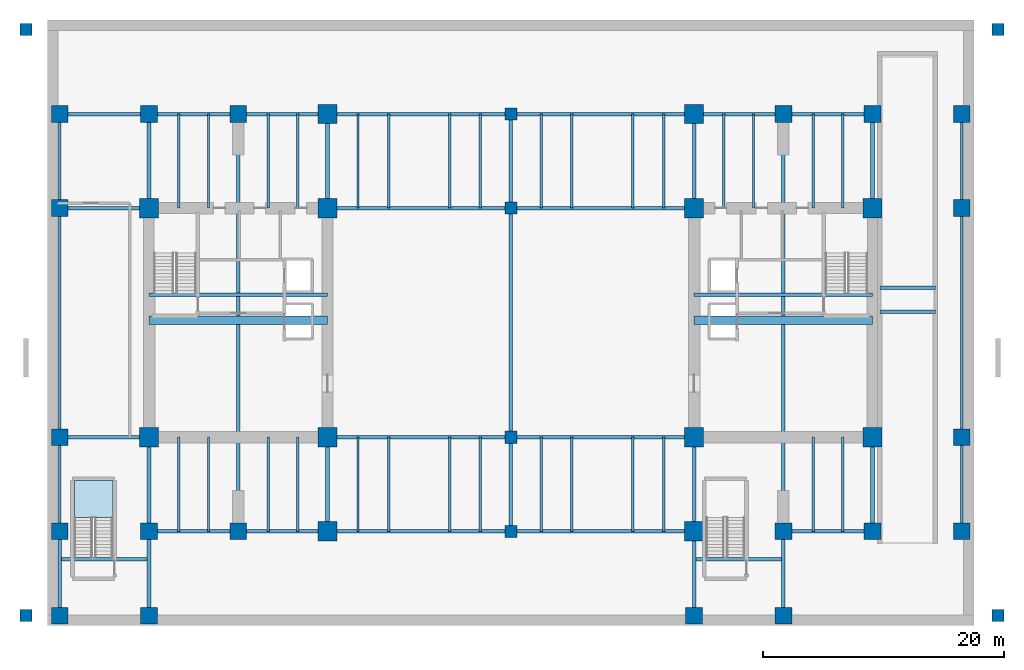
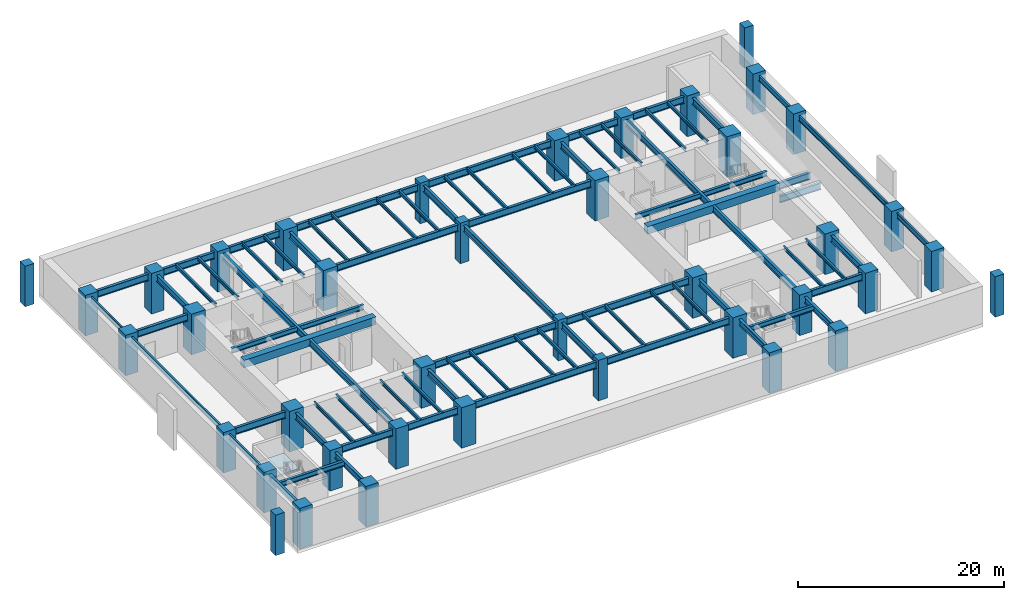
# One storey, part 1 of 6: 79 beams, 40 columns, 1 slab, 1 element without a shape of its own.
"""IFC4 building model written with IfcOpenShell, lengths in metres."""

from ifc_helpers import new_model, si_unit, direction, frame, origin, origin_2d, place, context, subcontext, project, spatial, polyline, rectangle, i_section, outline, extrude, source, transform, mapped, material, layer, layer_set, material_profile, profile_set, type_object, type_shapes, element, aggregate, save


model = new_model("IFC4")

# Units and contexts
model_context = context("Model", 3, precision=1e-05, world=origin(), true_north=direction((0.0, 1.0)))
body_context = subcontext(model_context, "Body", "Model", "MODEL_VIEW")
ifc_project = project(units=[si_unit("LENGTHUNIT", "METRE"), si_unit("AREAUNIT", "SQUARE_METRE"), si_unit("VOLUMEUNIT", "CUBIC_METRE"), si_unit("PLANEANGLEUNIT", "RADIAN"), si_unit("MASSUNIT", "GRAM", prefix="KILO")], contexts=[model_context])

# Site, building, storey
site_placement = place(None, origin())
site = spatial("IfcSite", under=ifc_project, at=site_placement, CompositionType="ELEMENT")
building_placement = place(site_placement, origin())
building = spatial("IfcBuilding", under=site, at=building_placement, Name="Haelvirn Gate Laboratories", CompositionType="ELEMENT")
storey_placement = place(building_placement, frame((0.0, 0.0, -9.60009765625)))
storey = spatial("IfcBuildingStorey", under=building, at=storey_placement, Name="B2", CompositionType="ELEMENT", Elevation=-9.60009765625)

# Columns
ifc_material_1 = material(Name="Concrete C70/85", Category="concrete")
ifc_material_profile_1 = material_profile(ifc_material_1, rectangle(XDim=1.39990234375, YDim=1.39990234375, at=origin_2d()), Name="SRC-1400x1400")
ifc_profile_set_1 = profile_set([ifc_material_profile_1], Name="Concrete C70/85")
column_type_1 = type_object("IfcColumnType", Name="COL-SRC-1400", PredefinedType="COLUMN", material=ifc_profile_set_1)
shared_shape_1 = source(origin(), body_context, "Body", "SweptSolid", [
    extrude(rectangle(XDim=1.39990234375, YDim=1.39990234375, at=origin_2d()), origin(), (0.0, 0.0, 1.0), 4.800048828125),
])
type_shapes(column_type_1, [shared_shape_1])
for number, where, z_axis, x_axis, name in (
    (1, (14.800048828125, 7.0, 0.0), (0.0, 0.0, 1.0), (1.0, 0.0, 0.0), "B2 Column 3B"),
    (2, (14.800048828125, 41.60009765625, 0.0), (0.0, 0.0, 1.0), (1.0, 0.0, 0.0), "B2 Column 3G"),
    (3, (60.0, 7.0, 0.0), (0.0, 0.0, 1.0), (1.0, 0.0, 0.0), "B2 Column 9B"),
    (4, (60.0, 41.60009765625, 0.0), (0.0, 0.0, 1.0), (1.0, 0.0, 0.0), "B2 Column 9G"),
    (5, (7.39990234375, 7.0, 0.0), (0.0, 0.0, 1.0), (1.0, 0.0, 0.0), "B2 Column 2B"),
    (6, (7.39990234375, 41.60009765625, 0.0), (0.0, 0.0, 1.0), (1.0, 0.0, 0.0), "B2 Column 2G"),
    (7, (67.39990234375, 7.0, 0.0), (0.0, 0.0, 1.0), (1.0, 0.0, 0.0), "B2 Column 10B"),
    (8, (67.39990234375, 41.60009765625, 0.0), (0.0, 0.0, 1.0), (1.0, 0.0, 0.0), "B2 Column 10G"),
    (9, (0.0, 7.0, 0.0), (0.0, 0.0, 1.0), (1.0, 0.0, 0.0), "B2 Column 1B"),
    (10, (0.0, 14.800048828125, 0.0), (0.0, 0.0, 1.0), (1.0, 0.0, 0.0), "B2 Column 1C"),
    (11, (0.0, 33.800048828125, 0.0), (0.0, 0.0, 1.0), (1.0, 0.0, 0.0), "B2 Column 1F"),
    (12, (0.0, 41.60009765625, 0.0), (0.0, 0.0, 1.0), (1.0, 0.0, 0.0), "B2 Column 1G"),
    (13, (74.800048828125, 7.0, 0.0), (0.0, 0.0, 1.0), (1.0, 0.0, 0.0), "B2 Column 11B"),
    (14, (74.800048828125, 14.800048828125, 0.0), (0.0, 0.0, 1.0), (1.0, 0.0, 0.0), "B2 Column 11C"),
    (15, (74.800048828125, 33.800048828125, 0.0), (0.0, 0.0, 1.0), (1.0, 0.0, 0.0), "B2 Column 11F"),
    (16, (74.800048828125, 41.60009765625, 0.0), (0.0, 0.0, 1.0), (1.0, 0.0, 0.0), "B2 Column 11G"),
    (17, (0.0, 0.0, 0.0), (0.0, 0.0, 1.0), (1.0, 0.0, 0.0), "B2 Column 1A"),
    (18, (7.39990234375, 0.0, 0.0), (0.0, 0.0, 1.0), (1.0, 0.0, 0.0), "B2 Column 2A"),
    (19, (52.60009765625, 0.0, 0.0), (0.0, 0.0, 1.0), (1.0, 0.0, 0.0), "B2 Column 8A"),
    (20, (60.0, 0.0, 0.0), (0.0, 0.0, 1.0), (1.0, 0.0, 0.0), "B2 Column 9A"),
):
    element("IfcColumn", number, at=place(storey_placement, frame(where, z_axis=z_axis, x_axis=x_axis)), inside=storey, type_object=column_type_1, Name=name, PredefinedType="COLUMN", context=body_context, shape_type="MappedRepresentation", body=[
        mapped(shared_shape_1, transform((0.0, 0.0, 0.0), scale=1.0)),
    ])
ifc_material_profile_2 = material_profile(ifc_material_1, rectangle(XDim=1.60009765625, YDim=1.60009765625, at=origin_2d()), Name="SRC-1600x1600")
ifc_profile_set_2 = profile_set([ifc_material_profile_2], Name="Concrete C70/85")
column_type_2 = type_object("IfcColumnType", Name="COL-SRC-1600", PredefinedType="COLUMN", material=ifc_profile_set_2)
shared_shape_2 = source(origin(), body_context, "Body", "SweptSolid", [
    extrude(rectangle(XDim=1.60009765625, YDim=1.60009765625, at=origin_2d()), origin(), (0.0, 0.0, 1.0), 4.800048828125),
])
type_shapes(column_type_2, [shared_shape_2])
for number, where, z_axis, x_axis, name in (
    (21, (22.199951171875, 7.0, 0.0), (0.0, 0.0, 1.0), (1.0, 0.0, 0.0), "B2 Column 4B"),
    (22, (7.39990234375, 14.800048828125, 0.0), (0.0, 0.0, 1.0), (1.0, 0.0, 0.0), "B2 Column 2C"),
    (23, (22.199951171875, 14.800048828125, 0.0), (0.0, 0.0, 1.0), (1.0, 0.0, 0.0), "B2 Column 4C"),
    (24, (7.39990234375, 33.800048828125, 0.0), (0.0, 0.0, 1.0), (1.0, 0.0, 0.0), "B2 Column 2F"),
    (25, (22.199951171875, 33.800048828125, 0.0), (0.0, 0.0, 1.0), (1.0, 0.0, 0.0), "B2 Column 4F"),
    (26, (22.199951171875, 41.60009765625, 0.0), (0.0, 0.0, 1.0), (1.0, 0.0, 0.0), "B2 Column 4G"),
    (27, (52.60009765625, 7.0, 0.0), (0.0, 0.0, 1.0), (1.0, 0.0, 0.0), "B2 Column 8B"),
    (28, (52.60009765625, 14.800048828125, 0.0), (0.0, 0.0, 1.0), (1.0, 0.0, 0.0), "B2 Column 8C"),
    (29, (67.39990234375, 14.800048828125, 0.0), (0.0, 0.0, 1.0), (1.0, 0.0, 0.0), "B2 Column 10C"),
    (30, (52.60009765625, 33.800048828125, 0.0), (0.0, 0.0, 1.0), (1.0, 0.0, 0.0), "B2 Column 8F"),
    (31, (67.39990234375, 33.800048828125, 0.0), (0.0, 0.0, 1.0), (1.0, 0.0, 0.0), "B2 Column 10F"),
    (32, (52.60009765625, 41.60009765625, 0.0), (0.0, 0.0, 1.0), (1.0, 0.0, 0.0), "B2 Column 8G"),
):
    element("IfcColumn", number, at=place(storey_placement, frame(where, z_axis=z_axis, x_axis=x_axis)), inside=storey, type_object=column_type_2, Name=name, PredefinedType="COLUMN", context=body_context, shape_type="MappedRepresentation", body=[
        mapped(shared_shape_2, transform((0.0, 0.0, 0.0), scale=1.0)),
    ])
ifc_material_2 = material(Name="Concrete C60/75", Category="concrete")
ifc_material_profile_3 = material_profile(ifc_material_2, rectangle(XDim=1.0, YDim=1.0, at=origin_2d()), Name="RC-1000x1000")
ifc_profile_set_3 = profile_set([ifc_material_profile_3], Name="Concrete C60/75")
column_type_3 = type_object("IfcColumnType", Name="COL-RC-1000", PredefinedType="COLUMN", material=ifc_profile_set_3)
shared_shape_3 = source(origin(), body_context, "Body", "SweptSolid", [
    extrude(rectangle(XDim=1.0, YDim=1.0, at=origin_2d()), origin(), (0.0, 0.0, 1.0), 4.800048828125),
])
type_shapes(column_type_3, [shared_shape_3])
for number, where, z_axis, x_axis, name in (
    (33, (-2.800048828125, 0.0, 0.0), (0.0, 0.0, 1.0), (1.0, 0.0, 0.0), "B2 Column PWS"),
    (34, (-2.800048828125, 48.60009765625, 0.0), (0.0, 0.0, 1.0), (1.0, 0.0, 0.0), "B2 Column PWN"),
    (35, (77.800048828125, 0.0, 0.0), (0.0, 0.0, 1.0), (1.0, 0.0, 0.0), "B2 Column PES"),
    (36, (77.800048828125, 48.60009765625, 0.0), (0.0, 0.0, 1.0), (1.0, 0.0, 0.0), "B2 Column PEN"),
    (37, (37.39990234375, 7.0, 0.0), (0.0, 0.0, 1.0), (1.0, 0.0, 0.0), "B2 Column 6B"),
    (38, (37.39990234375, 14.800048828125, 0.0), (0.0, 0.0, 1.0), (1.0, 0.0, 0.0), "B2 Column 6C"),
    (39, (37.39990234375, 33.800048828125, 0.0), (0.0, 0.0, 1.0), (1.0, 0.0, 0.0), "B2 Column 6F"),
    (40, (37.39990234375, 41.60009765625, 0.0), (0.0, 0.0, 1.0), (1.0, 0.0, 0.0), "B2 Column 6G"),
):
    element("IfcColumn", number, at=place(storey_placement, frame(where, z_axis=z_axis, x_axis=x_axis)), inside=storey, type_object=column_type_3, Name=name, PredefinedType="COLUMN", context=body_context, shape_type="MappedRepresentation", body=[
        mapped(shared_shape_3, transform((0.0, 0.0, 0.0), scale=1.0)),
    ])

# Beams
ifc_material_3 = material(Name="Steel SM420", Category="steel")
ifc_material_profile_4 = material_profile(ifc_material_3, i_section(OverallWidth=0.300048828125, OverallDepth=0.800048828125, WebThickness=0.013916015625, FlangeThickness=0.02587890625, at=origin_2d()), Name="H-800x300x14x26")
ifc_profile_set_4 = profile_set([ifc_material_profile_4], Name="Steel SM420")
beam_type_1 = type_object("IfcBeamType", Name="BM-G-800", PredefinedType="BEAM", material=ifc_profile_set_4)
shared_shape_4 = source(origin(), body_context, "Body", "SweptSolid", [
    extrude(i_section(OverallWidth=0.300048828125, OverallDepth=0.800048828125, WebThickness=0.013916015625, FlangeThickness=0.02587890625, at=origin_2d()), origin(), (0.0, 0.0, 1.0), 7.400146484375),
])
for number, where, z_axis, x_axis, name in (
    (41, (7.39990234375, 7.0, 4.02001953125), (1.0, 0.0, 0.0), (0.0, 1.0, 0.0), "B2 Primary Girder Y7.0 (7.4-14.8)"),
    (42, (7.39990234375, 41.60009765625, 4.02001953125), (1.0, 0.0, 0.0), (0.0, 1.0, 0.0), "B2 Primary Girder Y41.6 (7.4-14.8)"),
):
    element("IfcBeam", number, at=place(storey_placement, frame(where, z_axis=z_axis, x_axis=x_axis)), inside=storey, type_object=beam_type_1, Name=name, PredefinedType="BEAM", context=body_context, shape_type="MappedRepresentation", body=[
        mapped(shared_shape_4, transform((0.0, 0.0, 0.0), scale=1.0)),
    ])
shared_shape_5 = source(origin(), body_context, "Body", "SweptSolid", [
    extrude(i_section(OverallWidth=0.300048828125, OverallDepth=0.800048828125, WebThickness=0.013916015625, FlangeThickness=0.02587890625, at=origin_2d()), origin(), (0.0, 0.0, 1.0), 7.39990234375),
])
for number, where, z_axis, x_axis, name in (
    (43, (14.800048828125, 7.0, 4.02001953125), (1.0, 0.0, 0.0), (0.0, 1.0, 0.0), "B2 Primary Girder Y7.0 (14.8-22.2)"),
    (44, (60.0, 7.0, 4.02001953125), (1.0, 0.0, 0.0), (0.0, 1.0, 0.0), "B2 Primary Girder Y7.0 (60.0-67.4)"),
    (45, (0.0, 14.800048828125, 4.02001953125), (1.0, 0.0, 0.0), (0.0, 1.0, 0.0), "B2 Primary Girder Y14.8 (0.0-7.4)"),
    (46, (0.0, 33.800048828125, 4.02001953125), (1.0, 0.0, 0.0), (0.0, 1.0, 0.0), "B2 Primary Girder Y33.8 (0.0-7.4)"),
    (47, (0.0, 41.60009765625, 4.02001953125), (1.0, 0.0, 0.0), (0.0, 1.0, 0.0), "B2 Primary Girder Y41.6 (0.0-7.4)"),
    (48, (14.800048828125, 41.60009765625, 4.02001953125), (1.0, 0.0, 0.0), (0.0, 1.0, 0.0), "B2 Primary Girder Y41.6 (14.8-22.2)"),
    (49, (52.60009765625, 41.60009765625, 4.02001953125), (1.0, 0.0, 0.0), (0.0, 1.0, 0.0), "B2 Primary Girder Y41.6 (52.6-60.0)"),
    (50, (60.0, 41.60009765625, 4.02001953125), (1.0, 0.0, 0.0), (0.0, 1.0, 0.0), "B2 Primary Girder Y41.6 (60.0-67.4)"),
):
    element("IfcBeam", number, at=place(storey_placement, frame(where, z_axis=z_axis, x_axis=x_axis)), inside=storey, type_object=beam_type_1, Name=name, PredefinedType="BEAM", context=body_context, shape_type="MappedRepresentation", body=[
        mapped(shared_shape_5, transform((0.0, 0.0, 0.0), scale=1.0)),
    ])
shared_shape_6 = source(origin(), body_context, "Body", "SweptSolid", [
    extrude(i_section(OverallWidth=0.300048828125, OverallDepth=0.800048828125, WebThickness=0.013916015625, FlangeThickness=0.02587890625, at=origin_2d()), origin(), (0.0, 0.0, 1.0), 15.199951171875),
])
for number, where, z_axis, x_axis, name in (
    (51, (22.199951171875, 7.0, 4.02001953125), (1.0, 0.0, 0.0), (0.0, 1.0, 0.0), "B2 Primary Girder Y7.0 (22.2-37.4)"),
    (52, (22.199951171875, 14.800048828125, 4.02001953125), (1.0, 0.0, 0.0), (0.0, 1.0, 0.0), "B2 Primary Girder Y14.8 (22.2-37.4)"),
    (53, (22.199951171875, 33.800048828125, 4.02001953125), (1.0, 0.0, 0.0), (0.0, 1.0, 0.0), "B2 Primary Girder Y33.8 (22.2-37.4)"),
    (54, (22.199951171875, 41.60009765625, 4.02001953125), (1.0, 0.0, 0.0), (0.0, 1.0, 0.0), "B2 Primary Girder Y41.6 (22.2-37.4)"),
):
    element("IfcBeam", number, at=place(storey_placement, frame(where, z_axis=z_axis, x_axis=x_axis)), inside=storey, type_object=beam_type_1, Name=name, PredefinedType="BEAM", context=body_context, shape_type="MappedRepresentation", body=[
        mapped(shared_shape_6, transform((0.0, 0.0, 0.0), scale=1.0)),
    ])
shared_shape_7 = source(origin(), body_context, "Body", "SweptSolid", [
    extrude(i_section(OverallWidth=0.300048828125, OverallDepth=0.800048828125, WebThickness=0.013916015625, FlangeThickness=0.02587890625, at=origin_2d()), origin(), (0.0, 0.0, 1.0), 15.2001953125),
])
for number, where, z_axis, x_axis, name in (
    (55, (37.39990234375, 7.0, 4.02001953125), (1.0, 0.0, 0.0), (0.0, 1.0, 0.0), "B2 Primary Girder Y7.0 (37.4-52.6)"),
    (56, (37.39990234375, 14.800048828125, 4.02001953125), (1.0, 0.0, 0.0), (0.0, 1.0, 0.0), "B2 Primary Girder Y14.8 (37.4-52.6)"),
    (57, (37.39990234375, 33.800048828125, 4.02001953125), (1.0, 0.0, 0.0), (0.0, 1.0, 0.0), "B2 Primary Girder Y33.8 (37.4-52.6)"),
    (58, (37.39990234375, 41.60009765625, 4.02001953125), (1.0, 0.0, 0.0), (0.0, 1.0, 0.0), "B2 Primary Girder Y41.6 (37.4-52.6)"),
):
    element("IfcBeam", number, at=place(storey_placement, frame(where, z_axis=z_axis, x_axis=x_axis)), inside=storey, type_object=beam_type_1, Name=name, PredefinedType="BEAM", context=body_context, shape_type="MappedRepresentation", body=[
        mapped(shared_shape_7, transform((0.0, 0.0, 0.0), scale=1.0)),
    ])
ifc_material_4 = material(Name="Steel SM355", Category="steel")
ifc_material_profile_5 = material_profile(ifc_material_4, i_section(OverallWidth=0.199951171875, OverallDepth=0.60009765625, WebThickness=0.010986328125, FlangeThickness=0.01708984375, at=origin_2d()), Name="H-600x200x11x17")
ifc_profile_set_5 = profile_set([ifc_material_profile_5], Name="Steel SM355")
beam_type_2 = type_object("IfcBeamType", Name="BM-SP-600", PredefinedType="SPANDREL", material=ifc_profile_set_5)
shared_shape_8 = source(origin(), body_context, "Body", "SweptSolid", [
    extrude(i_section(OverallWidth=0.199951171875, OverallDepth=0.60009765625, WebThickness=0.010986328125, FlangeThickness=0.01708984375, at=origin_2d()), origin(), (0.0, 0.0, 1.0), 7.800048828125),
])
for number, where, z_axis, x_axis, name in (
    (59, (0.0, 7.0, 4.1201171875), (0.0, 1.0, 0.0), (-1.0, 0.0, 0.0), "B2 Perimeter Spandrel X0.0 (7.0-14.8)"),
    (60, (0.0, 33.800048828125, 4.1201171875), (0.0, 1.0, 0.0), (-1.0, 0.0, 0.0), "B2 Perimeter Spandrel X0.0 (33.8-41.6)"),
    (61, (74.800048828125, 7.0, 4.1201171875), (0.0, 1.0, 0.0), (-1.0, 0.0, 0.0), "B2 Perimeter Spandrel X74.8 (7.0-14.8)"),
    (62, (74.800048828125, 33.800048828125, 4.1201171875), (0.0, 1.0, 0.0), (-1.0, 0.0, 0.0), "B2 Perimeter Spandrel X74.8 (33.8-41.6)"),
):
    element("IfcBeam", number, at=place(storey_placement, frame(where, z_axis=z_axis, x_axis=x_axis)), inside=storey, type_object=beam_type_2, Name=name, PredefinedType="SPANDREL", context=body_context, shape_type="MappedRepresentation", body=[
        mapped(shared_shape_8, transform((0.0, 0.0, 0.0), scale=1.0)),
    ])
shared_shape_9 = source(origin(), body_context, "Body", "SweptSolid", [
    extrude(i_section(OverallWidth=0.199951171875, OverallDepth=0.60009765625, WebThickness=0.010986328125, FlangeThickness=0.01708984375, at=origin_2d()), origin(), (0.0, 0.0, 1.0), 19.0),
])
type_shapes(beam_type_2, [shared_shape_8, shared_shape_9])
for number, where, z_axis, x_axis, name in (
    (63, (0.0, 14.800048828125, 4.1201171875), (0.0, 1.0, 0.0), (-1.0, 0.0, 0.0), "B2 Perimeter Spandrel X0.0 (14.8-33.8)"),
    (64, (74.800048828125, 14.800048828125, 4.1201171875), (0.0, 1.0, 0.0), (-1.0, 0.0, 0.0), "B2 Perimeter Spandrel X74.8 (14.8-33.8)"),
):
    element("IfcBeam", number, at=place(storey_placement, frame(where, z_axis=z_axis, x_axis=x_axis)), inside=storey, type_object=beam_type_2, Name=name, PredefinedType="SPANDREL", context=body_context, shape_type="MappedRepresentation", body=[
        mapped(shared_shape_9, transform((0.0, 0.0, 0.0), scale=1.0)),
    ])
ifc_material_profile_6 = material_profile(ifc_material_4, i_section(OverallWidth=0.300048828125, OverallDepth=0.75, WebThickness=0.013916015625, FlangeThickness=0.02392578125, at=origin_2d()), Name="H-750x300x14x24")
ifc_profile_set_6 = profile_set([ifc_material_profile_6], Name="Steel SM355")
beam_type_3 = type_object("IfcBeamType", Name="BM-G-750", PredefinedType="BEAM", material=ifc_profile_set_6)
shared_shape_10 = source(origin(), body_context, "Body", "SweptSolid", [
    extrude(i_section(OverallWidth=0.300048828125, OverallDepth=0.75, WebThickness=0.013916015625, FlangeThickness=0.02392578125, at=origin_2d()), origin(), (0.0, 0.0, 1.0), 7.800048828125),
])
for number, where, z_axis, x_axis, name in (
    (65, (7.39990234375, 7.0, 4.045166015625), (0.0, 1.0, 0.0), (-1.0, 0.0, 0.0), "B2 Frame Girder X7.4 (7.0-14.8)"),
    (66, (7.39990234375, 33.800048828125, 4.045166015625), (0.0, 1.0, 0.0), (-1.0, 0.0, 0.0), "B2 Frame Girder X7.4 (33.8-41.6)"),
    (67, (22.199951171875, 7.0, 4.045166015625), (0.0, 1.0, 0.0), (-1.0, 0.0, 0.0), "B2 Frame Girder X22.2 (7.0-14.8)"),
    (68, (22.199951171875, 33.800048828125, 4.045166015625), (0.0, 1.0, 0.0), (-1.0, 0.0, 0.0), "B2 Frame Girder X22.2 (33.8-41.6)"),
    (69, (37.39990234375, 7.0, 4.045166015625), (0.0, 1.0, 0.0), (-1.0, 0.0, 0.0), "B2 Frame Girder X37.4 (7.0-14.8)"),
    (70, (37.39990234375, 33.800048828125, 4.045166015625), (0.0, 1.0, 0.0), (-1.0, 0.0, 0.0), "B2 Frame Girder X37.4 (33.8-41.6)"),
    (71, (52.60009765625, 7.0, 4.045166015625), (0.0, 1.0, 0.0), (-1.0, 0.0, 0.0), "B2 Frame Girder X52.6 (7.0-14.8)"),
    (72, (52.60009765625, 33.800048828125, 4.045166015625), (0.0, 1.0, 0.0), (-1.0, 0.0, 0.0), "B2 Frame Girder X52.6 (33.8-41.6)"),
    (73, (67.39990234375, 7.0, 4.045166015625), (0.0, 1.0, 0.0), (-1.0, 0.0, 0.0), "B2 Frame Girder X67.4 (7.0-14.8)"),
    (74, (67.39990234375, 33.800048828125, 4.045166015625), (0.0, 1.0, 0.0), (-1.0, 0.0, 0.0), "B2 Frame Girder X67.4 (33.8-41.6)"),
):
    element("IfcBeam", number, at=place(storey_placement, frame(where, z_axis=z_axis, x_axis=x_axis)), inside=storey, type_object=beam_type_3, Name=name, PredefinedType="BEAM", context=body_context, shape_type="MappedRepresentation", body=[
        mapped(shared_shape_10, transform((0.0, 0.0, 0.0), scale=1.0)),
    ])
shared_shape_11 = source(origin(), body_context, "Body", "SweptSolid", [
    extrude(i_section(OverallWidth=0.300048828125, OverallDepth=0.75, WebThickness=0.013916015625, FlangeThickness=0.02392578125, at=origin_2d()), origin(), (0.0, 0.0, 1.0), 34.60009765625),
])
for number, where, z_axis, x_axis, name in (
    (75, (14.800048828125, 7.0, 4.045166015625), (0.0, 1.0, 0.0), (-1.0, 0.0, 0.0), "B2 Frame Girder X14.8 (7.0-41.6)"),
    (76, (60.0, 7.0, 4.045166015625), (0.0, 1.0, 0.0), (-1.0, 0.0, 0.0), "B2 Frame Girder X60.0 (7.0-41.6)"),
):
    element("IfcBeam", number, at=place(storey_placement, frame(where, z_axis=z_axis, x_axis=x_axis)), inside=storey, type_object=beam_type_3, Name=name, PredefinedType="BEAM", context=body_context, shape_type="MappedRepresentation", body=[
        mapped(shared_shape_11, transform((0.0, 0.0, 0.0), scale=1.0)),
    ])
shared_shape_12 = source(origin(), body_context, "Body", "SweptSolid", [
    extrude(i_section(OverallWidth=0.300048828125, OverallDepth=0.75, WebThickness=0.013916015625, FlangeThickness=0.02392578125, at=origin_2d()), origin(), (0.0, 0.0, 1.0), 19.0),
])
type_shapes(beam_type_3, [shared_shape_10, shared_shape_11, shared_shape_12])
beam_1_placement = place(storey_placement, frame((37.39990234375, 14.800048828125, 4.045166015625), z_axis=(0.0, 1.0, 0.0), x_axis=(-1.0, 0.0, 0.0)))
element("IfcBeam", 77, at=beam_1_placement, inside=storey, type_object=beam_type_3, Name="B2 Frame Girder X37.4 (14.8-33.8)", PredefinedType="BEAM", context=body_context, shape_type="MappedRepresentation", body=[
    mapped(shared_shape_12, transform((0.0, 0.0, 0.0), scale=1.0)),
])
ifc_material_profile_7 = material_profile(ifc_material_2, rectangle(XDim=0.699951171875, YDim=0.89990234375, at=origin_2d()), Name="RCB-700x900")
ifc_profile_set_7 = profile_set([ifc_material_profile_7], Name="Concrete C60/75")
beam_type_4 = type_object("IfcBeamType", Name="BM-RCB-900", PredefinedType="LINTEL", material=ifc_profile_set_7)
shared_shape_13 = source(origin(), body_context, "Body", "SweptSolid", [
    extrude(rectangle(XDim=0.699951171875, YDim=0.89990234375, at=origin_2d()), origin(), (0.0, 0.0, 1.0), 14.800048828125),
])
beam_2_placement = place(storey_placement, frame((7.39990234375, 24.5, 3.97021484375), z_axis=(1.0, 0.0, 0.0), x_axis=(0.0, 1.0, 0.0)))
element("IfcBeam", 78, at=beam_2_placement, inside=storey, type_object=beam_type_4, Name="B2 West Core Coupling Beam", PredefinedType="LINTEL", context=body_context, shape_type="MappedRepresentation", body=[
    mapped(shared_shape_13, transform((0.0, 0.0, 0.0), scale=1.0)),
])
shared_shape_14 = source(origin(), body_context, "Body", "SweptSolid", [
    extrude(rectangle(XDim=0.699951171875, YDim=0.89990234375, at=origin_2d()), origin(), (0.0, 0.0, 1.0), 14.7998046875),
])
type_shapes(beam_type_4, [shared_shape_13, shared_shape_14])
beam_3_placement = place(storey_placement, frame((52.60009765625, 24.5, 3.97021484375), z_axis=(1.0, 0.0, 0.0), x_axis=(0.0, 1.0, 0.0)))
element("IfcBeam", 79, at=beam_3_placement, inside=storey, type_object=beam_type_4, Name="B2 East Core Coupling Beam", PredefinedType="LINTEL", context=body_context, shape_type="MappedRepresentation", body=[
    mapped(shared_shape_14, transform((0.0, 0.0, 0.0), scale=1.0)),
])
ifc_material_profile_8 = material_profile(ifc_material_4, i_section(OverallWidth=0.300048828125, OverallDepth=0.587890625, WebThickness=0.011962890625, FlangeThickness=0.02001953125, at=origin_2d()), Name="H-588x300x12x20")
ifc_profile_set_8 = profile_set([ifc_material_profile_8], Name="Steel SM355")
beam_type_5 = type_object("IfcBeamType", Name="BM-G-588", PredefinedType="BEAM", material=ifc_profile_set_8)
shared_shape_15 = source(origin(), body_context, "Body", "SweptSolid", [
    extrude(i_section(OverallWidth=0.300048828125, OverallDepth=0.587890625, WebThickness=0.011962890625, FlangeThickness=0.02001953125, at=origin_2d()), origin(), (0.0, 0.0, 1.0), 14.800048828125),
])
beam_4_placement = place(storey_placement, frame((7.39990234375, 26.6201171875, 4.1259765625), z_axis=(1.0, 0.0, 0.0), x_axis=(0.0, 1.0, 0.0)))
element("IfcBeam", 80, at=beam_4_placement, inside=storey, type_object=beam_type_5, Name="B2 Stair ST1 Landing Header", PredefinedType="BEAM", context=body_context, shape_type="MappedRepresentation", body=[
    mapped(shared_shape_15, transform((0.0, 0.0, 0.0), scale=1.0)),
])
shared_shape_16 = source(origin(), body_context, "Body", "SweptSolid", [
    extrude(i_section(OverallWidth=0.300048828125, OverallDepth=0.587890625, WebThickness=0.011962890625, FlangeThickness=0.02001953125, at=origin_2d()), origin(), (0.0, 0.0, 1.0), 14.7998046875),
])
beam_5_placement = place(storey_placement, frame((52.60009765625, 26.6201171875, 4.1259765625), z_axis=(1.0, 0.0, 0.0), x_axis=(0.0, 1.0, 0.0)))
element("IfcBeam", 81, at=beam_5_placement, inside=storey, type_object=beam_type_5, Name="B2 Stair ST2 Landing Header", PredefinedType="BEAM", context=body_context, shape_type="MappedRepresentation", body=[
    mapped(shared_shape_16, transform((0.0, 0.0, 0.0), scale=1.0)),
])
ifc_material_profile_9 = material_profile(ifc_material_4, i_section(OverallWidth=0.300048828125, OverallDepth=0.699951171875, WebThickness=0.012939453125, FlangeThickness=0.02392578125, at=origin_2d()), Name="H-700x300x13x24")
ifc_profile_set_9 = profile_set([ifc_material_profile_9], Name="Steel SM355")
beam_type_6 = type_object("IfcBeamType", Name="BM-G-700", PredefinedType="BEAM", material=ifc_profile_set_9)
shared_shape_17 = source(origin(), body_context, "Body", "SweptSolid", [
    extrude(i_section(OverallWidth=0.300048828125, OverallDepth=0.699951171875, WebThickness=0.012939453125, FlangeThickness=0.02392578125, at=origin_2d()), origin(), (0.0, 0.0, 1.0), 7.0),
])
type_shapes(beam_type_6, [shared_shape_17])
for number, where, z_axis, x_axis, name in (
    (82, (0.0, 0.0, 4.070068359375), (0.0, 1.0, 0.0), (-1.0, 0.0, 0.0), "B2 Stair ST3 West Trimmer Girder"),
    (83, (7.39990234375, 0.0, 4.070068359375), (0.0, 1.0, 0.0), (-1.0, 0.0, 0.0), "B2 Stair ST3 East Trimmer Girder"),
    (84, (52.60009765625, 0.0, 4.070068359375), (0.0, 1.0, 0.0), (-1.0, 0.0, 0.0), "B2 Stair ST4 West Trimmer Girder"),
    (85, (60.0, 0.0, 4.070068359375), (0.0, 1.0, 0.0), (-1.0, 0.0, 0.0), "B2 Stair ST4 East Trimmer Girder"),
):
    element("IfcBeam", number, at=place(storey_placement, frame(where, z_axis=z_axis, x_axis=x_axis)), inside=storey, type_object=beam_type_6, Name=name, PredefinedType="BEAM", context=body_context, shape_type="MappedRepresentation", body=[
        mapped(shared_shape_17, transform((0.0, 0.0, 0.0), scale=1.0)),
    ])
shared_shape_18 = source(origin(), body_context, "Body", "SweptSolid", [
    extrude(i_section(OverallWidth=0.300048828125, OverallDepth=0.587890625, WebThickness=0.011962890625, FlangeThickness=0.02001953125, at=origin_2d()), origin(), (0.0, 0.0, 1.0), 7.39990234375),
])
type_shapes(beam_type_5, [shared_shape_15, shared_shape_16, shared_shape_18])
for number, where, z_axis, x_axis, name in (
    (86, (0.0, 4.679931640625, 4.1259765625), (1.0, 0.0, 0.0), (0.0, 1.0, 0.0), "B2 Stair ST3 Landing Header"),
    (87, (52.60009765625, 4.679931640625, 4.1259765625), (1.0, 0.0, 0.0), (0.0, 1.0, 0.0), "B2 Stair ST4 Landing Header"),
):
    element("IfcBeam", number, at=place(storey_placement, frame(where, z_axis=z_axis, x_axis=x_axis)), inside=storey, type_object=beam_type_5, Name=name, PredefinedType="BEAM", context=body_context, shape_type="MappedRepresentation", body=[
        mapped(shared_shape_18, transform((0.0, 0.0, 0.0), scale=1.0)),
    ])
ifc_material_profile_10 = material_profile(ifc_material_4, i_section(OverallWidth=0.199951171875, OverallDepth=0.39990234375, WebThickness=0.008056640625, FlangeThickness=0.012939453125, at=origin_2d()), Name="H-400x200x8x13")
ifc_profile_set_10 = profile_set([ifc_material_profile_10], Name="Steel SM355")
beam_type_7 = type_object("IfcBeamType", Name="BM-J-400", PredefinedType="JOIST", material=ifc_profile_set_10)
shared_shape_19 = source(origin(), body_context, "Body", "SweptSolid", [
    extrude(i_section(OverallWidth=0.199951171875, OverallDepth=0.39990234375, WebThickness=0.008056640625, FlangeThickness=0.012939453125, at=origin_2d()), origin(), (0.0, 0.0, 1.0), 7.800048828125),
])
type_shapes(beam_type_7, [shared_shape_19])
for number, where, z_axis, x_axis, name in (
    (88, (9.8701171875, 7.0, 4.22021484375), (0.0, 1.0, 0.0), (-1.0, 0.0, 0.0), "B2 Composite Lab Joist South X9.87"),
    (89, (9.8701171875, 33.800048828125, 4.22021484375), (0.0, 1.0, 0.0), (-1.0, 0.0, 0.0), "B2 Composite Lab Joist North X9.87"),
    (90, (12.330078125, 7.0, 4.22021484375), (0.0, 1.0, 0.0), (-1.0, 0.0, 0.0), "B2 Composite Lab Joist South X12.33"),
    (91, (12.330078125, 33.800048828125, 4.22021484375), (0.0, 1.0, 0.0), (-1.0, 0.0, 0.0), "B2 Composite Lab Joist North X12.33"),
    (92, (17.27001953125, 7.0, 4.22021484375), (0.0, 1.0, 0.0), (-1.0, 0.0, 0.0), "B2 Composite Lab Joist South X17.27"),
    (93, (17.27001953125, 33.800048828125, 4.22021484375), (0.0, 1.0, 0.0), (-1.0, 0.0, 0.0), "B2 Composite Lab Joist North X17.27"),
    (94, (19.72998046875, 7.0, 4.22021484375), (0.0, 1.0, 0.0), (-1.0, 0.0, 0.0), "B2 Composite Lab Joist South X19.73"),
    (95, (19.72998046875, 33.800048828125, 4.22021484375), (0.0, 1.0, 0.0), (-1.0, 0.0, 0.0), "B2 Composite Lab Joist North X19.73"),
    (96, (24.72998046875, 7.0, 4.22021484375), (0.0, 1.0, 0.0), (-1.0, 0.0, 0.0), "B2 Composite Lab Joist South X24.73"),
    (97, (24.72998046875, 33.800048828125, 4.22021484375), (0.0, 1.0, 0.0), (-1.0, 0.0, 0.0), "B2 Composite Lab Joist North X24.73"),
    (98, (27.27001953125, 7.0, 4.22021484375), (0.0, 1.0, 0.0), (-1.0, 0.0, 0.0), "B2 Composite Lab Joist South X27.27"),
    (99, (27.27001953125, 33.800048828125, 4.22021484375), (0.0, 1.0, 0.0), (-1.0, 0.0, 0.0), "B2 Composite Lab Joist North X27.27"),
    (100, (32.330078125, 7.0, 4.22021484375), (0.0, 1.0, 0.0), (-1.0, 0.0, 0.0), "B2 Composite Lab Joist South X32.33"),
    (101, (32.330078125, 33.800048828125, 4.22021484375), (0.0, 1.0, 0.0), (-1.0, 0.0, 0.0), "B2 Composite Lab Joist North X32.33"),
    (102, (34.8701171875, 7.0, 4.22021484375), (0.0, 1.0, 0.0), (-1.0, 0.0, 0.0), "B2 Composite Lab Joist South X34.87"),
    (103, (34.8701171875, 33.800048828125, 4.22021484375), (0.0, 1.0, 0.0), (-1.0, 0.0, 0.0), "B2 Composite Lab Joist North X34.87"),
    (104, (39.929931640625, 7.0, 4.22021484375), (0.0, 1.0, 0.0), (-1.0, 0.0, 0.0), "B2 Composite Lab Joist South X39.93"),
    (105, (39.929931640625, 33.800048828125, 4.22021484375), (0.0, 1.0, 0.0), (-1.0, 0.0, 0.0), "B2 Composite Lab Joist North X39.93"),
    (106, (42.469970703125, 7.0, 4.22021484375), (0.0, 1.0, 0.0), (-1.0, 0.0, 0.0), "B2 Composite Lab Joist South X42.47"),
    (107, (42.469970703125, 33.800048828125, 4.22021484375), (0.0, 1.0, 0.0), (-1.0, 0.0, 0.0), "B2 Composite Lab Joist North X42.47"),
    (108, (47.530029296875, 7.0, 4.22021484375), (0.0, 1.0, 0.0), (-1.0, 0.0, 0.0), "B2 Composite Lab Joist South X47.53"),
    (109, (47.530029296875, 33.800048828125, 4.22021484375), (0.0, 1.0, 0.0), (-1.0, 0.0, 0.0), "B2 Composite Lab Joist North X47.53"),
    (110, (50.070068359375, 7.0, 4.22021484375), (0.0, 1.0, 0.0), (-1.0, 0.0, 0.0), "B2 Composite Lab Joist South X50.07"),
    (111, (50.070068359375, 33.800048828125, 4.22021484375), (0.0, 1.0, 0.0), (-1.0, 0.0, 0.0), "B2 Composite Lab Joist North X50.07"),
    (112, (55.070068359375, 33.800048828125, 4.22021484375), (0.0, 1.0, 0.0), (-1.0, 0.0, 0.0), "B2 Composite Lab Joist North X55.07"),
    (113, (57.530029296875, 33.800048828125, 4.22021484375), (0.0, 1.0, 0.0), (-1.0, 0.0, 0.0), "B2 Composite Lab Joist North X57.53"),
    (114, (62.469970703125, 7.0, 4.22021484375), (0.0, 1.0, 0.0), (-1.0, 0.0, 0.0), "B2 Composite Lab Joist South X62.47"),
    (115, (62.469970703125, 33.800048828125, 4.22021484375), (0.0, 1.0, 0.0), (-1.0, 0.0, 0.0), "B2 Composite Lab Joist North X62.47"),
    (116, (64.929931640625, 7.0, 4.22021484375), (0.0, 1.0, 0.0), (-1.0, 0.0, 0.0), "B2 Composite Lab Joist South X64.93"),
    (117, (64.929931640625, 33.800048828125, 4.22021484375), (0.0, 1.0, 0.0), (-1.0, 0.0, 0.0), "B2 Composite Lab Joist North X64.93"),
):
    element("IfcBeam", number, at=place(storey_placement, frame(where, z_axis=z_axis, x_axis=x_axis)), inside=storey, type_object=beam_type_7, Name=name, PredefinedType="JOIST", context=body_context, shape_type="MappedRepresentation", body=[
        mapped(shared_shape_19, transform((0.0, 0.0, 0.0), scale=1.0)),
    ])
shared_shape_20 = source(origin(), body_context, "Body", "SweptSolid", [
    extrude(i_section(OverallWidth=0.300048828125, OverallDepth=0.800048828125, WebThickness=0.013916015625, FlangeThickness=0.02587890625, at=origin_2d()), origin(), (0.0, 0.0, 1.0), 4.60009765625),
])
type_shapes(beam_type_1, [shared_shape_4, shared_shape_5, shared_shape_6, shared_shape_7, shared_shape_20])
for number, where, z_axis, x_axis, name in (
    (118, (68.0, 25.199951171875, 1.7001953125), (1.0, 0.0, 0.0), (0.0, 1.0, 0.0), "B2 Vehicle Ramp Landing Support Girder 1"),
    (119, (68.0, 27.199951171875, 1.7001953125), (1.0, 0.0, 0.0), (0.0, 1.0, 0.0), "B2 Vehicle Ramp Landing Support Girder 2"),
):
    element("IfcBeam", number, at=place(storey_placement, frame(where, z_axis=z_axis, x_axis=x_axis)), inside=storey, type_object=beam_type_1, Name=name, PredefinedType="BEAM", context=body_context, shape_type="MappedRepresentation", body=[
        mapped(shared_shape_20, transform((0.0, 0.0, 0.0), scale=1.0)),
    ])

# Stair, slab
ifc_material_5 = material(Name="Concrete C40/50", Category="concrete")
stair_type = type_object("IfcStairType", Name="ST-DOG-1500-R26", PredefinedType="HALF_TURN_STAIR", material=ifc_material_5)
stair_placement = place(storey_placement, origin())
stair = element("IfcStair", 120, at=stair_placement, inside=storey, type_object=stair_type, Name="B2 Escape Stair ST3", PredefinedType="HALF_TURN_STAIR")
ifc_layer = layer(ifc_material_5, 0.199951171875, Name="SL-STAIR-LND")
ifc_layer_set = layer_set([ifc_layer], Name="Concrete C40/50")
slab_type = type_object("IfcSlabType", Name="SL-STAIR-LND", PredefinedType="LANDING", material=ifc_layer_set)
slab_placement = place(storey_placement, frame((0.0, 0.0, 2.2001953125)))
slab = element("IfcSlab", 121, at=slab_placement, type_object=slab_type, Name="ST3 landing 1", PredefinedType="LANDING", context=body_context, shape_type="SweptSolid", body=[
    extrude(outline(polyline([(4.39990234375, 8.159912109375), (4.39990234375, 11.199951171875), (1.199951171875, 11.199951171875), (1.199951171875, 8.159912109375), (4.39990234375, 8.159912109375)])), origin(), (0.0, 0.0, 1.0), 0.199951171875),
])
aggregate(stair, [slab])

save(model, "model.ifc")
